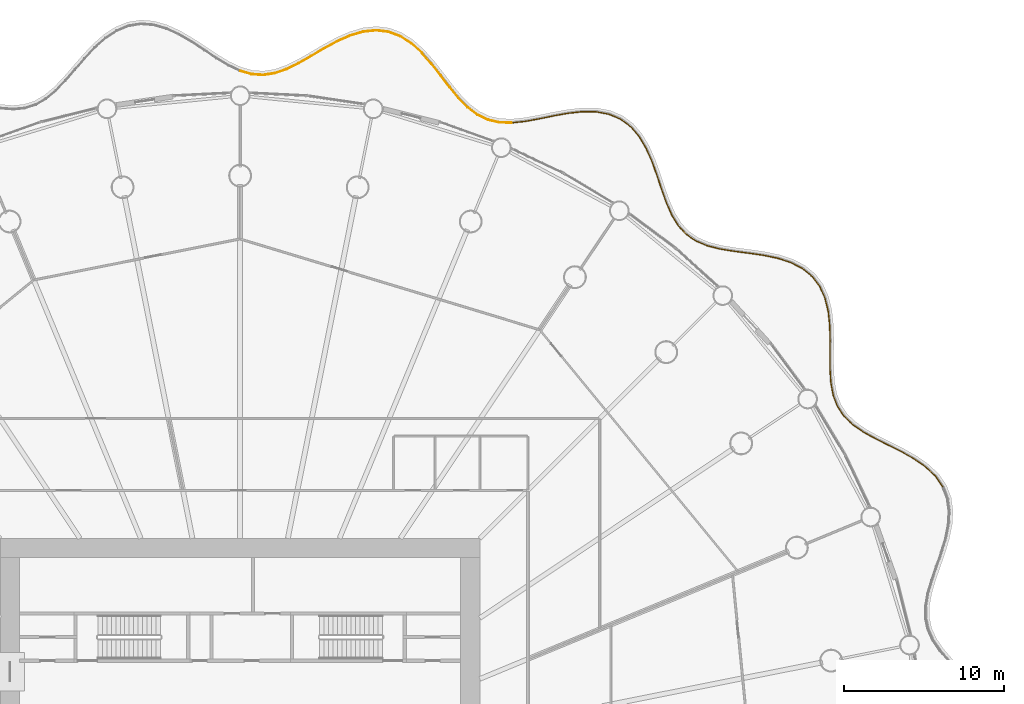
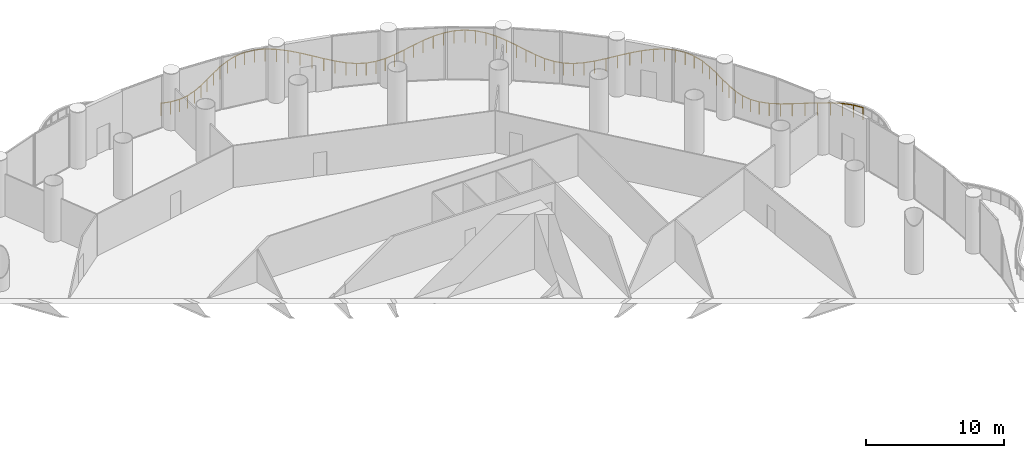
# One storey, part 38 of 38: 3 railings.
"""IFC4 building model written with IfcOpenShell, lengths in metres."""

import ifcopenshell
import ifcopenshell.guid

model = None  # the IFC model being written
_history = None  # IfcOwnerHistory: only IFC2X3 demands one
_inside = {}  # id of a spatial element -> (the spatial element, [elements in it])
_under = {}  # id of a project, library or spatial element -> (it, [spatial elements below it])
_declared = {}  # id of a project -> (the project, [libraries it declares])
_typed = {}  # id of a type object -> (the type object, [elements of that type])
_made_of = {}  # id of a material, layer set ... -> (it, [elements and type objects made of it])


def new_model(schema):
    """Start an empty IFC model of exactly this schema.

    Asked for "IFC4X3", IfcOpenShell would pick the latest addendum, in which some entities
    have other attributes; the version numbers below select the first issue.
    IFC2X3 requires an IfcOwnerHistory on every rooted entity: one is made here for all.
    """
    global model, _history
    if schema == "IFC4X3":
        model = ifcopenshell.file(schema_version=(4, 3, 0, 0))
    else:
        model = ifcopenshell.file(schema=schema)
    _inside.clear()
    _under.clear()
    _declared.clear()
    _typed.clear()
    _made_of.clear()
    _history = None
    if model.schema == "IFC2X3":
        org = make("IfcOrganization", Name="unknown")
        user = make(
            "IfcPersonAndOrganization",
            ThePerson=make("IfcPerson", FamilyName="unknown"),
            TheOrganization=org,
        )
        app = make(
            "IfcApplication",
            ApplicationDeveloper=org,
            Version="unknown",
            ApplicationFullName="unknown",
            ApplicationIdentifier="unknown",
        )
        _history = make(
            "IfcOwnerHistory",
            OwningUser=user,
            OwningApplication=app,
            ChangeAction="ADDED",
            CreationDate=0,
        )
    return model


def make(cls, **values):
    """One entity of the class cls with the attributes given. An attribute that is None is left unset."""
    return model.create_entity(
        cls, **{name: value for name, value in values.items() if value is not None}
    )


def rooted(cls, **values):
    """An entity with a GlobalId (a new one), such as an element, a storey or a relation."""
    return make(cls, GlobalId=ifcopenshell.guid.new(), OwnerHistory=_history, **values)


def si_unit(unit_type, name, prefix=None):
    """IfcSIUnit, for example si_unit("LENGTHUNIT", "METRE", prefix="MILLI")."""
    return make("IfcSIUnit", UnitType=unit_type, Prefix=prefix, Name=name)


def assignment(units):
    """IfcUnitAssignment: the units of a project."""
    return None if units is None else make("IfcUnitAssignment", Units=units)


def point(xyz):
    """IfcCartesianPoint."""
    return None if xyz is None else make("IfcCartesianPoint", Coordinates=xyz)


def direction(xyz):
    """IfcDirection."""
    return None if xyz is None else make("IfcDirection", DirectionRatios=xyz)


def frame(location, z_axis=None, x_axis=None):
    """IfcAxis2Placement3D, a coordinate frame: its origin and axes. An axis left out is left unset."""
    return make(
        "IfcAxis2Placement3D",
        Location=point(location),
        Axis=direction(z_axis),
        RefDirection=direction(x_axis),
    )


def frame_2d(location, x_axis=None):
    """IfcAxis2Placement2D, a coordinate frame in the plane: its origin and x axis."""
    return make(
        "IfcAxis2Placement2D", Location=point(location), RefDirection=direction(x_axis)
    )


def origin():
    """The frame at (0, 0, 0) with its axes left unset."""
    return frame((0.0, 0.0, 0.0))


def origin_2d():
    """The frame at (0, 0) in the plane with its x axis left unset."""
    return frame_2d((0.0, 0.0))


def place(relative_to, where):
    """IfcLocalPlacement: puts the frame where relative to a parent placement (None: the world)."""
    return make(
        "IfcLocalPlacement", PlacementRelTo=relative_to, RelativePlacement=where
    )


def context(
    kind, dimensions, precision=None, world=None, true_north=None, identifier=None
):
    """IfcGeometricRepresentationContext, for example the 3D "Model" context."""
    return make(
        "IfcGeometricRepresentationContext",
        ContextIdentifier=identifier,
        ContextType=kind,
        CoordinateSpaceDimension=dimensions,
        Precision=precision,
        WorldCoordinateSystem=world,
        TrueNorth=true_north,
    )


def subcontext(parent, identifier, kind, view, scale=None):
    """IfcGeometricRepresentationSubContext, for example "Body" below "Model"."""
    return make(
        "IfcGeometricRepresentationSubContext",
        ContextIdentifier=identifier,
        ContextType=kind,
        ParentContext=parent,
        TargetScale=scale,
        TargetView=view,
    )


def project(units=None, contexts=None):
    """IfcProject with its units and contexts."""
    return rooted(
        "IfcProject",
        Name="project",
        RepresentationContexts=contexts,
        UnitsInContext=assignment(units),
    )


def spatial(cls, under=None, at=None, **own):
    """A site, building, storey or space (cls), placed at a placement, below another one or the project."""
    s = rooted(cls, ObjectPlacement=at, **own)
    if under is not None:
        _under.setdefault(under.id(), (under, []))[1].append(s)
    return s


def profile(cls, at=None, kind="AREA", **sizes):
    """A parametric profile (cls). Its sizes go by their IFC names, for example OverallWidth=200.0."""
    return make(cls, ProfileType=kind, Position=at, **sizes)


def circle(**sizes):
    """IfcCircleProfileDef."""
    return profile("IfcCircleProfileDef", **sizes)


def extrude(swept, where, along, depth):
    """IfcExtrudedAreaSolid: the profile swept, set in the frame where, extruded along a direction by depth."""
    return make(
        "IfcExtrudedAreaSolid",
        SweptArea=swept,
        Position=where,
        ExtrudedDirection=direction(along),
        Depth=depth,
    )


def shape(context_of_items, identifier, shape_type, items):
    """IfcShapeRepresentation: the items that make up one representation, for example the "Body"."""
    return make(
        "IfcShapeRepresentation",
        ContextOfItems=context_of_items,
        RepresentationIdentifier=identifier,
        RepresentationType=shape_type,
        Items=items,
    )


def material(Name=None, Category=None):
    """IfcMaterial."""
    return make("IfcMaterial", Name=Name, Category=Category)


def made_of(thing, what):
    """Note that an element or type object is made of a material, layer set ...; save() writes the relation."""
    if what is not None:
        _made_of.setdefault(what.id(), (what, []))[1].append(thing)
    return thing


def type_object(cls, material=None, **own):
    """A type object (cls), such as IfcWallType, which elements share."""
    return made_of(rooted(cls, **own), material)


def element(
    cls,
    number,
    at=None,
    inside=None,
    cuts=None,
    type_object=None,
    material=None,
    context=None,
    identifier="Body",
    shape_type=None,
    held_by="IfcProductDefinitionShape",
    body=None,
    shapes=None,
    **own,
):
    """One element of the class cls, such as IfcWall. Its Tag is "e" and its number.

    at: its placement. inside: the storey or other place that contains it. cuts: it is an
    opening in that element (IfcRelVoidsElement). A single representation is given by context,
    identifier, shape_type and body (its items); several are given by shapes. held_by: the class
    of the entity that holds the representations. save() writes the other relations.
    """
    e = rooted(cls, Tag="e%d" % number, ObjectPlacement=at, **own)
    if body is not None:
        shapes = [shape(context, identifier, shape_type, body)]
    if shapes is not None:
        e.Representation = make(held_by, Representations=shapes)
    if inside is not None:
        _inside.setdefault(inside.id(), (inside, []))[1].append(e)
    if cuts is not None:
        rooted(
            "IfcRelVoidsElement", RelatingBuildingElement=cuts, RelatedOpeningElement=e
        )
    if type_object is not None:
        _typed.setdefault(type_object.id(), (type_object, []))[1].append(e)
    return made_of(e, material)


def aggregate(whole, parts):
    """IfcRelAggregates: a whole, such as a stair, and the parts it consists of."""
    return rooted("IfcRelAggregates", RelatingObject=whole, RelatedObjects=parts)


def save(model, path):
    """Write the relations noted so far, then the file.

    IfcRelAggregates (storeys below a building ...), IfcRelContainedInSpatialStructure (elements
    in a storey), IfcRelDefinesByType, IfcRelAssociatesMaterial and IfcRelDeclares: one each for
    every whole, place, type object, material and project.
    """
    for whole, parts in _under.values():
        aggregate(whole, parts)
    for where, things in _inside.values():
        rooted(
            "IfcRelContainedInSpatialStructure",
            RelatedElements=things,
            RelatingStructure=where,
        )
    for kind, things in _typed.values():
        rooted("IfcRelDefinesByType", RelatedObjects=things, RelatingType=kind)
    for what, things in _made_of.values():
        rooted("IfcRelAssociatesMaterial", RelatedObjects=things, RelatingMaterial=what)
    for by, libraries in _declared.values():
        rooted("IfcRelDeclares", RelatingContext=by, RelatedDefinitions=libraries)
    model.write(path)


model = new_model("IFC4")

# Units and contexts
model_context = context("Model", 3, precision=1e-05, world=origin(), true_north=direction((0.0, 1.0)))
body_context = subcontext(model_context, "Body", "Model", "MODEL_VIEW")
ifc_project = project(units=[si_unit("LENGTHUNIT", "METRE"), si_unit("AREAUNIT", "SQUARE_METRE"), si_unit("VOLUMEUNIT", "CUBIC_METRE"), si_unit("PLANEANGLEUNIT", "RADIAN"), si_unit("MASSUNIT", "GRAM", prefix="KILO")], contexts=[model_context])

# Site, building, storey
site_placement = place(None, origin())
site = spatial("IfcSite", under=ifc_project, at=site_placement, CompositionType="ELEMENT")
building_placement = place(site_placement, origin())
building = spatial("IfcBuilding", under=site, at=building_placement, Name="Corvane Civic Tower", CompositionType="ELEMENT")
storey_placement = place(building_placement, frame((0.0, 0.0, 32.0)))
storey = spatial("IfcBuildingStorey", under=building, at=storey_placement, Name="L06", CompositionType="ELEMENT", Elevation=32.0)

# Railings
ifc_material = material(Name="Steel ASTM A572 Gr 50", Category="steel")
railing_type = type_object("IfcRailingType", Name="PODIUM-RL-GUARD-1100", PredefinedType="GUARDRAIL", material=ifc_material)
railing_1_placement = place(storey_placement, frame((43.95751953125, 18.234130859375, 0.0)))
element("IfcRailing", 1, at=railing_1_placement, inside=storey, type_object=railing_type, Name="L06 ribbon guard 14", PredefinedType="GUARDRAIL", context=body_context, shape_type="SweptSolid", body=[
    extrude(circle(Radius=0.02392578125, at=origin_2d()), frame((0.0, 0.0, 1.076171875), z_axis=(-0.564923088251, 0.825143565909, 0.0), x_axis=(-0.825143565909, -0.564923088251, 0.0)), (0.0, 0.0, 1.0), 0.768310546875),
    extrude(circle(Radius=0.02392578125, at=origin_2d()), frame((-0.43408203125, 0.634033203125, 1.076171875), z_axis=(-0.718998120827, 0.695012015901, 0.0), x_axis=(-0.695012015901, -0.718998120827, 0.0)), (0.0, 0.0, 1.0), 0.834716796875),
    extrude(circle(Radius=0.02392578125, at=origin_2d()), frame((-1.0341796875, 1.214111328125, 1.076171875), z_axis=(-0.815427285454, 0.578859518482, 0.0), x_axis=(-0.578859518482, -0.815427285454, 0.0)), (0.0, 0.0, 1.0), 0.884521484375),
    extrude(circle(Radius=0.02392578125, at=origin_2d()), frame((-1.75537109375, 1.72607421875, 1.076171875), z_axis=(-0.869040218452, 0.494741446326, 0.0), x_axis=(-0.494741446326, -0.869040218452, 0.0)), (0.0, 0.0, 1.0), 0.92236328125),
    extrude(circle(Radius=0.02392578125, at=origin_2d()), frame((-2.556884765625, 2.182373046875, 1.076171875), z_axis=(-0.893274995005, 0.449510604212, 0.0), x_axis=(-0.449510604212, -0.893274995005, 0.0)), (0.0, 0.0, 1.0), 0.934814453125),
    extrude(circle(Radius=0.02392578125, at=origin_2d()), frame((-3.391845703125, 2.6025390625, 1.076171875), z_axis=(-0.895437895525, 0.445186449993, 0.0), x_axis=(-0.445186449993, -0.895437895525, 0.0)), (0.0, 0.0, 1.0), 0.915771484375),
    extrude(circle(Radius=0.02392578125, at=origin_2d()), frame((-4.2119140625, 3.01025390625, 1.076171875), z_axis=(-0.874752887878, 0.484569277967, 0.0), x_axis=(-0.484569277967, -0.874752887878, 0.0)), (0.0, 0.0, 1.0), 0.869140625),
    extrude(circle(Radius=0.02392578125, at=origin_2d()), frame((-4.97216796875, 3.431396484375, 1.076171875), z_axis=(-0.821570758338, 0.570106559377, 0.0), x_axis=(-0.570106559377, -0.821570758338, 0.0)), (0.0, 0.0, 1.0), 0.806884765625),
    extrude(circle(Radius=0.02392578125, at=origin_2d()), frame((-5.635009765625, 3.891357421875, 1.076171875), z_axis=(-0.71905346714, 0.694954754926, 0.0), x_axis=(-0.694954754926, -0.71905346714, 0.0)), (0.0, 0.0, 1.0), 0.749755859375),
    extrude(circle(Radius=0.02392578125, at=origin_2d()), frame((-6.174072265625, 4.412353515625, 1.076171875), z_axis=(-0.558210589536, 0.82969930561, 0.0), x_axis=(-0.82969930561, -0.558210589536, 0.0)), (0.0, 0.0, 1.0), 0.72119140625),
    extrude(circle(Radius=0.02392578125, at=origin_2d()), frame((-6.57666015625, 5.0107421875, 1.076171875), z_axis=(-0.36444945393, 0.93122317171, 0.0), x_axis=(-0.93122317171, -0.36444945393, 0.0)), (0.0, 0.0, 1.0), 0.73486328125),
    extrude(circle(Radius=0.02392578125, at=origin_2d()), frame((-6.844482421875, 5.695068359375, 1.076171875), z_axis=(-0.18970227519, 0.981841660752, 0.0), x_axis=(-0.981841660752, -0.18970227519, 0.0)), (0.0, 0.0, 1.0), 0.78369140625),
    extrude(circle(Radius=0.02392578125, at=origin_2d()), frame((-6.9931640625, 6.464599609375, 1.076171875), z_axis=(-0.067437118765, 0.99772352634, 0.0), x_axis=(-0.99772352634, -0.067437118765, 0.0)), (0.0, 0.0, 1.0), 0.84716796875),
    extrude(circle(Radius=0.02392578125, at=origin_2d()), frame((-7.05029296875, 7.309814453125, 1.076171875), z_axis=(-0.003250253688, 0.999994717912, 0.0), x_axis=(-0.999994717912, -0.003250253688, 0.0)), (0.0, 0.0, 1.0), 0.9013671875),
    extrude(circle(Radius=0.02392578125, at=origin_2d()), frame((-7.05322265625, 8.211181640625, 1.076171875), z_axis=(0.009436015013, 0.999955479819, 0.0), x_axis=(-0.999955479819, 0.009436015013, 0.0)), (0.0, 0.0, 1.0), 0.931396484375),
    extrude(circle(Radius=0.02392578125, at=origin_2d()), frame((-7.04443359375, 9.142578125, 1.076171875), z_axis=(-0.024933175743, 0.999689120051, 0.0), x_axis=(-0.999689120051, -0.024933175743, 0.0)), (0.0, 0.0, 1.0), 0.93017578125),
    extrude(circle(Radius=0.02392578125, at=origin_2d()), frame((-7.067626953125, 10.072509765625, 1.076171875), z_axis=(-0.105997077035, 0.994366441338, 0.0), x_axis=(-0.994366441338, -0.105997077035, 0.0)), (0.0, 0.0, 1.0), 0.900634765625),
    extrude(circle(Radius=0.02392578125, at=origin_2d()), frame((-7.1630859375, 10.968017578125, 1.076171875), z_axis=(-0.235796585795, 0.971802433691, 0.0), x_axis=(-0.971802433691, -0.235796585795, 0.0)), (0.0, 0.0, 1.0), 0.853271484375),
    extrude(circle(Radius=0.02392578125, at=origin_2d()), frame((-7.3642578125, 11.797119140625, 1.076171875), z_axis=(-0.41001209647, 0.912080084613, 0.0), x_axis=(-0.912080084613, -0.41001209647, 0.0)), (0.0, 0.0, 1.0), 0.80615234375),
    extrude(circle(Radius=0.02392578125, at=origin_2d()), frame((-7.69482421875, 12.532470703125, 1.076171875), z_axis=(-0.603049995362, 0.797703392931, 0.0), x_axis=(-0.797703392931, -0.603049995362, 0.0)), (0.0, 0.0, 1.0), 0.780029296875),
    extrude(circle(Radius=0.02392578125, at=origin_2d()), frame((-8.165283203125, 13.15478515625, 1.076171875), z_axis=(-0.773127936515, 0.634250103492, 0.0), x_axis=(-0.634250103492, -0.773127936515, 0.0)), (0.0, 0.0, 1.0), 0.78759765625),
    extrude(circle(Radius=0.02392578125, at=origin_2d()), frame((-8.774169921875, 13.654296875, 1.076171875), z_axis=(-0.888608978044, 0.458665547148, 0.0), x_axis=(-0.458665547148, -0.888608978044, 0.0)), (0.0, 0.0, 1.0), 0.824462890625),
    extrude(circle(Radius=0.02392578125, at=origin_2d()), frame((-9.5068359375, 14.032470703125, 1.076171875), z_axis=(-0.951112018986, 0.308846122431, 0.0), x_axis=(-0.308846122431, -0.951112018986, 0.0)), (0.0, 0.0, 1.0), 0.874267578125),
    extrude(circle(Radius=0.02392578125, at=origin_2d()), frame((-10.33837890625, 14.302490234375, 1.076171875), z_axis=(-0.979350284104, 0.202170771935, 0.0), x_axis=(-0.202170771935, -0.979350284104, 0.0)), (0.0, 0.0, 1.0), 0.89111328125),
    extrude(circle(Radius=0.02099609375, at=origin_2d()), origin(), (0.0, 0.0, 1.0), 1.052001953125),
    extrude(circle(Radius=0.02099609375, at=origin_2d()), frame((-0.43408203125, 0.634033203125, 0.0)), (0.0, 0.0, 1.0), 1.052001953125),
    extrude(circle(Radius=0.02099609375, at=origin_2d()), frame((-1.0341796875, 1.214111328125, 0.0)), (0.0, 0.0, 1.0), 1.052001953125),
    extrude(circle(Radius=0.02099609375, at=origin_2d()), frame((-1.75537109375, 1.72607421875, 0.0)), (0.0, 0.0, 1.0), 1.052001953125),
    extrude(circle(Radius=0.02099609375, at=origin_2d()), frame((-2.556884765625, 2.182373046875, 0.0)), (0.0, 0.0, 1.0), 1.052001953125),
    extrude(circle(Radius=0.02099609375, at=origin_2d()), frame((-3.391845703125, 2.6025390625, 0.0)), (0.0, 0.0, 1.0), 1.052001953125),
    extrude(circle(Radius=0.02099609375, at=origin_2d()), frame((-4.2119140625, 3.01025390625, 0.0)), (0.0, 0.0, 1.0), 1.052001953125),
    extrude(circle(Radius=0.02099609375, at=origin_2d()), frame((-4.97216796875, 3.431396484375, 0.0)), (0.0, 0.0, 1.0), 1.052001953125),
    extrude(circle(Radius=0.02099609375, at=origin_2d()), frame((-5.635009765625, 3.891357421875, 0.0)), (0.0, 0.0, 1.0), 1.052001953125),
    extrude(circle(Radius=0.02099609375, at=origin_2d()), frame((-6.174072265625, 4.412353515625, 0.0)), (0.0, 0.0, 1.0), 1.052001953125),
    extrude(circle(Radius=0.02099609375, at=origin_2d()), frame((-6.57666015625, 5.0107421875, 0.0)), (0.0, 0.0, 1.0), 1.052001953125),
    extrude(circle(Radius=0.02099609375, at=origin_2d()), frame((-6.844482421875, 5.695068359375, 0.0)), (0.0, 0.0, 1.0), 1.052001953125),
    extrude(circle(Radius=0.02099609375, at=origin_2d()), frame((-6.9931640625, 6.464599609375, 0.0)), (0.0, 0.0, 1.0), 1.052001953125),
    extrude(circle(Radius=0.02099609375, at=origin_2d()), frame((-7.05029296875, 7.309814453125, 0.0)), (0.0, 0.0, 1.0), 1.052001953125),
    extrude(circle(Radius=0.02099609375, at=origin_2d()), frame((-7.05322265625, 8.211181640625, 0.0)), (0.0, 0.0, 1.0), 1.052001953125),
    extrude(circle(Radius=0.02099609375, at=origin_2d()), frame((-7.04443359375, 9.142578125, 0.0)), (0.0, 0.0, 1.0), 1.052001953125),
    extrude(circle(Radius=0.02099609375, at=origin_2d()), frame((-7.067626953125, 10.072509765625, 0.0)), (0.0, 0.0, 1.0), 1.052001953125),
    extrude(circle(Radius=0.02099609375, at=origin_2d()), frame((-7.1630859375, 10.968017578125, 0.0)), (0.0, 0.0, 1.0), 1.052001953125),
    extrude(circle(Radius=0.02099609375, at=origin_2d()), frame((-7.3642578125, 11.797119140625, 0.0)), (0.0, 0.0, 1.0), 1.052001953125),
    extrude(circle(Radius=0.02099609375, at=origin_2d()), frame((-7.69482421875, 12.532470703125, 0.0)), (0.0, 0.0, 1.0), 1.052001953125),
    extrude(circle(Radius=0.02099609375, at=origin_2d()), frame((-8.165283203125, 13.15478515625, 0.0)), (0.0, 0.0, 1.0), 1.052001953125),
    extrude(circle(Radius=0.02099609375, at=origin_2d()), frame((-8.774169921875, 13.654296875, 0.0)), (0.0, 0.0, 1.0), 1.052001953125),
    extrude(circle(Radius=0.02099609375, at=origin_2d()), frame((-9.5068359375, 14.032470703125, 0.0)), (0.0, 0.0, 1.0), 1.052001953125),
    extrude(circle(Radius=0.02099609375, at=origin_2d()), frame((-10.33837890625, 14.302490234375, 0.0)), (0.0, 0.0, 1.0), 1.052001953125),
    extrude(circle(Radius=0.02099609375, at=origin_2d()), frame((-11.211181640625, 14.482666015625, 0.0)), (0.0, 0.0, 1.0), 1.052001953125),
])
railing_2_placement = place(storey_placement, frame((32.697265625, 32.7255859375, 0.0)))
element("IfcRailing", 2, at=railing_2_placement, inside=storey, type_object=railing_type, Name="L06 ribbon guard 15", PredefinedType="GUARDRAIL", context=body_context, shape_type="SweptSolid", body=[
    extrude(circle(Radius=0.02392578125, at=origin_2d()), frame((0.0, 0.0, 1.076171875), z_axis=(-0.989868812418, 0.141984978788, 0.0), x_axis=(-0.141984978788, -0.989868812418, 0.0)), (0.0, 0.0, 1.0), 0.90966796875),
    extrude(circle(Radius=0.02392578125, at=origin_2d()), frame((-0.900390625, 0.129150390625, 1.076171875), z_axis=(-0.991831949658, 0.12755149406, 0.0), x_axis=(-0.12755149406, -0.991831949658, 0.0)), (0.0, 0.0, 1.0), 0.922607421875),
    extrude(circle(Radius=0.02392578125, at=origin_2d()), frame((-1.8154296875, 0.246826171875, 1.076171875), z_axis=(-0.987030777898, 0.160531129327, 0.0), x_axis=(-0.160531129327, -0.987030777898, 0.0)), (0.0, 0.0, 1.0), 0.880615234375),
    extrude(circle(Radius=0.02392578125, at=origin_2d()), frame((-2.6845703125, 0.38818359375, 1.076171875), z_axis=(-0.968940471293, 0.2472940822, 0.0), x_axis=(-0.2472940822, -0.968940471293, 0.0)), (0.0, 0.0, 1.0), 0.8203125),
    extrude(circle(Radius=0.02392578125, at=origin_2d()), frame((-3.4794921875, 0.591064453125, 1.076171875), z_axis=(-0.921635375138, 0.388057000058, 0.0), x_axis=(-0.388057000058, -0.921635375138, 0.0)), (0.0, 0.0, 1.0), 0.760009765625),
    extrude(circle(Radius=0.02392578125, at=origin_2d()), frame((-4.179931640625, 0.885986328125, 1.076171875), z_axis=(-0.824769290196, 0.565469378437, 0.0), x_axis=(-0.565469378437, -0.824769290196, 0.0)), (0.0, 0.0, 1.0), 0.72412109375),
    extrude(circle(Radius=0.02392578125, at=origin_2d()), frame((-4.777099609375, 1.29541015625, 1.076171875), z_axis=(-0.680129605089, 0.733091890749, 0.0), x_axis=(-0.733091890749, -0.680129605089, 0.0)), (0.0, 0.0, 1.0), 0.728271484375),
    extrude(circle(Radius=0.02392578125, at=origin_2d()), frame((-5.2724609375, 1.829345703125, 1.076171875), z_axis=(-0.527095063724, 0.849806327229, 0.0), x_axis=(-0.849806327229, -0.527095063724, 0.0)), (0.0, 0.0, 1.0), 0.771728515625),
    extrude(circle(Radius=0.02392578125, at=origin_2d()), frame((-5.67919921875, 2.485107421875, 1.076171875), z_axis=(-0.407062095939, 0.913400487218, 0.0), x_axis=(-0.913400487218, -0.407062095939, 0.0)), (0.0, 0.0, 1.0), 0.833740234375),
    extrude(circle(Radius=0.02392578125, at=origin_2d()), frame((-6.0185546875, 3.24658203125, 1.076171875), z_axis=(-0.336284353127, 0.94176049707, 0.0), x_axis=(-0.94176049707, -0.336284353127, 0.0)), (0.0, 0.0, 1.0), 0.8916015625),
    extrude(circle(Radius=0.02392578125, at=origin_2d()), frame((-6.318359375, 4.086181640625, 1.076171875), z_axis=(-0.314490302108, 0.949260685945, 0.0), x_axis=(-0.949260685945, -0.314490302108, 0.0)), (0.0, 0.0, 1.0), 0.927734375),
    extrude(circle(Radius=0.02392578125, at=origin_2d()), frame((-6.610107421875, 4.966796875, 1.076171875), z_axis=(-0.337496288976, 0.941326858709, 0.0), x_axis=(-0.941326858709, -0.337496288976, 0.0)), (0.0, 0.0, 1.0), 0.93310546875),
    extrude(circle(Radius=0.02392578125, at=origin_2d()), frame((-6.925048828125, 5.84521484375, 1.076171875), z_axis=(-0.404043622694, 0.914739717603, 0.0), x_axis=(-0.914739717603, -0.404043622694, 0.0)), (0.0, 0.0, 1.0), 0.90869140625),
    extrude(circle(Radius=0.02392578125, at=origin_2d()), frame((-7.292236328125, 6.676513671875, 1.076171875), z_axis=(-0.511250319836, 0.859431853301, 0.0), x_axis=(-0.859431853301, -0.511250319836, 0.0)), (0.0, 0.0, 1.0), 0.86376953125),
    extrude(circle(Radius=0.02392578125, at=origin_2d()), frame((-7.73388671875, 7.4189453125, 1.076171875), z_axis=(-0.651925594689, 0.758282941249, 0.0), x_axis=(-0.758282941249, -0.651925594689, 0.0)), (0.0, 0.0, 1.0), 0.81494140625),
    extrude(circle(Radius=0.02392578125, at=origin_2d()), frame((-8.26513671875, 8.036865234375, 1.076171875), z_axis=(-0.800859579337, 0.598852180579, 0.0), x_axis=(-0.598852180579, -0.800859579337, 0.0)), (0.0, 0.0, 1.0), 0.783203125),
    extrude(circle(Radius=0.02392578125, at=origin_2d()), frame((-8.892333984375, 8.505859375, 1.076171875), z_axis=(-0.919080514782, 0.394069800096, 0.0), x_axis=(-0.394069800096, -0.919080514782, 0.0)), (0.0, 0.0, 1.0), 0.783203125),
    extrude(circle(Radius=0.02392578125, at=origin_2d()), frame((-9.612060546875, 8.814453125, 1.076171875), z_axis=(-0.982654443902, 0.185446067309, 0.0), x_axis=(-0.185446067309, -0.982654443902, 0.0)), (0.0, 0.0, 1.0), 0.81494140625),
    extrude(circle(Radius=0.02392578125, at=origin_2d()), frame((-10.412841796875, 8.965576171875, 1.076171875), z_axis=(-0.999911774813, 0.013283169422, 0.0), x_axis=(-0.013283169422, -0.999911774813, 0.0)), (0.0, 0.0, 1.0), 0.86376953125),
    extrude(circle(Radius=0.02392578125, at=origin_2d()), frame((-11.276611328125, 8.97705078125, 1.076171875), z_axis=(-0.994181417549, -0.107718656697, 0.0), x_axis=(0.107718656697, -0.994181417549, 0.0)), (0.0, 0.0, 1.0), 0.908935546875),
    extrude(circle(Radius=0.02392578125, at=origin_2d()), frame((-12.18017578125, 8.879150390625, 1.076171875), z_axis=(-0.983999420882, -0.178171657969, 0.0), x_axis=(0.178171657969, -0.983999420882, 0.0)), (0.0, 0.0, 1.0), 0.93310546875),
    extrude(circle(Radius=0.02392578125, at=origin_2d()), frame((-13.098388671875, 8.712890625, 1.076171875), z_axis=(-0.979305409601, -0.202388030095, 0.0), x_axis=(0.202388030095, -0.979305409601, 0.0)), (0.0, 0.0, 1.0), 0.927734375),
    extrude(circle(Radius=0.02392578125, at=origin_2d()), frame((-14.0068359375, 8.525146484375, 1.076171875), z_axis=(-0.983729388064, -0.179656592029, 0.0), x_axis=(0.179656592029, -0.983729388064, 0.0)), (0.0, 0.0, 1.0), 0.891357421875),
    extrude(circle(Radius=0.02392578125, at=origin_2d()), frame((-14.8837890625, 8.364990234375, 1.076171875), z_axis=(-0.994563188022, -0.104134840627, 0.0), x_axis=(0.104134840627, -0.994563188022, 0.0)), (0.0, 0.0, 1.0), 0.808837890625),
    extrude(circle(Radius=0.02099609375, at=origin_2d()), origin(), (0.0, 0.0, 1.0), 1.052001953125),
    extrude(circle(Radius=0.02099609375, at=origin_2d()), frame((-0.900390625, 0.129150390625, 0.0)), (0.0, 0.0, 1.0), 1.052001953125),
    extrude(circle(Radius=0.02099609375, at=origin_2d()), frame((-1.8154296875, 0.246826171875, 0.0)), (0.0, 0.0, 1.0), 1.052001953125),
    extrude(circle(Radius=0.02099609375, at=origin_2d()), frame((-2.6845703125, 0.38818359375, 0.0)), (0.0, 0.0, 1.0), 1.052001953125),
    extrude(circle(Radius=0.02099609375, at=origin_2d()), frame((-3.4794921875, 0.591064453125, 0.0)), (0.0, 0.0, 1.0), 1.052001953125),
    extrude(circle(Radius=0.02099609375, at=origin_2d()), frame((-4.179931640625, 0.885986328125, 0.0)), (0.0, 0.0, 1.0), 1.052001953125),
    extrude(circle(Radius=0.02099609375, at=origin_2d()), frame((-4.777099609375, 1.29541015625, 0.0)), (0.0, 0.0, 1.0), 1.052001953125),
    extrude(circle(Radius=0.02099609375, at=origin_2d()), frame((-5.2724609375, 1.829345703125, 0.0)), (0.0, 0.0, 1.0), 1.052001953125),
    extrude(circle(Radius=0.02099609375, at=origin_2d()), frame((-5.67919921875, 2.485107421875, 0.0)), (0.0, 0.0, 1.0), 1.052001953125),
    extrude(circle(Radius=0.02099609375, at=origin_2d()), frame((-6.0185546875, 3.24658203125, 0.0)), (0.0, 0.0, 1.0), 1.052001953125),
    extrude(circle(Radius=0.02099609375, at=origin_2d()), frame((-6.318359375, 4.086181640625, 0.0)), (0.0, 0.0, 1.0), 1.052001953125),
    extrude(circle(Radius=0.02099609375, at=origin_2d()), frame((-6.610107421875, 4.966796875, 0.0)), (0.0, 0.0, 1.0), 1.052001953125),
    extrude(circle(Radius=0.02099609375, at=origin_2d()), frame((-6.925048828125, 5.84521484375, 0.0)), (0.0, 0.0, 1.0), 1.052001953125),
    extrude(circle(Radius=0.02099609375, at=origin_2d()), frame((-7.292236328125, 6.676513671875, 0.0)), (0.0, 0.0, 1.0), 1.052001953125),
    extrude(circle(Radius=0.02099609375, at=origin_2d()), frame((-7.73388671875, 7.4189453125, 0.0)), (0.0, 0.0, 1.0), 1.052001953125),
    extrude(circle(Radius=0.02099609375, at=origin_2d()), frame((-8.26513671875, 8.036865234375, 0.0)), (0.0, 0.0, 1.0), 1.052001953125),
    extrude(circle(Radius=0.02099609375, at=origin_2d()), frame((-8.892333984375, 8.505859375, 0.0)), (0.0, 0.0, 1.0), 1.052001953125),
    extrude(circle(Radius=0.02099609375, at=origin_2d()), frame((-9.612060546875, 8.814453125, 0.0)), (0.0, 0.0, 1.0), 1.052001953125),
    extrude(circle(Radius=0.02099609375, at=origin_2d()), frame((-10.412841796875, 8.965576171875, 0.0)), (0.0, 0.0, 1.0), 1.052001953125),
    extrude(circle(Radius=0.02099609375, at=origin_2d()), frame((-11.276611328125, 8.97705078125, 0.0)), (0.0, 0.0, 1.0), 1.052001953125),
    extrude(circle(Radius=0.02099609375, at=origin_2d()), frame((-12.18017578125, 8.879150390625, 0.0)), (0.0, 0.0, 1.0), 1.052001953125),
    extrude(circle(Radius=0.02099609375, at=origin_2d()), frame((-13.098388671875, 8.712890625, 0.0)), (0.0, 0.0, 1.0), 1.052001953125),
    extrude(circle(Radius=0.02099609375, at=origin_2d()), frame((-14.0068359375, 8.525146484375, 0.0)), (0.0, 0.0, 1.0), 1.052001953125),
    extrude(circle(Radius=0.02099609375, at=origin_2d()), frame((-14.8837890625, 8.364990234375, 0.0)), (0.0, 0.0, 1.0), 1.052001953125),
    extrude(circle(Radius=0.02099609375, at=origin_2d()), frame((-15.688232421875, 8.28076171875, 0.0)), (0.0, 0.0, 1.0), 1.052001953125),
])
railing_3_placement = place(storey_placement, frame((16.958984375, 41.00439453125, 0.0)))
element("IfcRailing", 3, at=railing_3_placement, inside=storey, type_object=railing_type, Name="L06 ribbon guard 16", PredefinedType="GUARDRAIL", context=body_context, shape_type="SweptSolid", body=[
    extrude(circle(Radius=0.02392578125, at=origin_2d()), frame((0.0, 0.0, 1.076171875), z_axis=(-0.999506634758, 0.031408391796, 0.0), x_axis=(-0.031408391796, -0.999506634758, 0.0)), (0.0, 0.0, 1.0), 0.746337890625),
    extrude(circle(Radius=0.02392578125, at=origin_2d()), frame((-0.745849609375, 0.0234375, 1.076171875), z_axis=(-0.974852266638, 0.222852099455, 0.0), x_axis=(-0.222852099455, -0.974852266638, 0.0)), (0.0, 0.0, 1.0), 0.728515625),
    extrude(circle(Radius=0.02392578125, at=origin_2d()), frame((-1.4560546875, 0.185791015625, 1.076171875), z_axis=(-0.902179876874, 0.431360023373, 0.0), x_axis=(-0.431360023373, -0.902179876874, 0.0)), (0.0, 0.0, 1.0), 0.723876953125),
    extrude(circle(Radius=0.02392578125, at=origin_2d()), frame((-2.109130859375, 0.498046875, 1.076171875), z_axis=(-0.796867223866, 0.604154473233, 0.0), x_axis=(-0.604154473233, -0.796867223866, 0.0)), (0.0, 0.0, 1.0), 0.760009765625),
    extrude(circle(Radius=0.02392578125, at=origin_2d()), frame((-2.71484375, 0.957275390625, 1.076171875), z_axis=(-0.698573011535, 0.715538781308, 0.0), x_axis=(-0.715538781308, -0.698573011535, 0.0)), (0.0, 0.0, 1.0), 0.8203125),
    extrude(circle(Radius=0.02392578125, at=origin_2d()), frame((-3.287841796875, 1.544189453125, 1.076171875), z_axis=(-0.632739607514, 0.774364635739, 0.0), x_axis=(-0.774364635739, -0.632739607514, 0.0)), (0.0, 0.0, 1.0), 0.880859375),
    extrude(circle(Radius=0.02392578125, at=origin_2d()), frame((-3.84521484375, 2.226318359375, 1.076171875), z_axis=(-0.606250579287, 0.795273685667, 0.0), x_axis=(-0.795273685667, -0.606250579287, 0.0)), (0.0, 0.0, 1.0), 0.922119140625),
    extrude(circle(Radius=0.02392578125, at=origin_2d()), frame((-4.404296875, 2.959716796875, 1.076171875), z_axis=(-0.617983033731, 0.786191433444, 0.0), x_axis=(-0.786191433444, -0.617983033731, 0.0)), (0.0, 0.0, 1.0), 0.934814453125),
    extrude(circle(Radius=0.02392578125, at=origin_2d()), frame((-4.98193359375, 3.694580078125, 1.076171875), z_axis=(-0.664876433577, 0.746953364055, 0.0), x_axis=(-0.746953364055, -0.664876433577, 0.0)), (0.0, 0.0, 1.0), 0.916259765625),
    extrude(circle(Radius=0.02392578125, at=origin_2d()), frame((-5.591064453125, 4.37890625, 1.076171875), z_axis=(-0.743141376178, 0.669134437175, 0.0), x_axis=(-0.669134437175, -0.743141376178, 0.0)), (0.0, 0.0, 1.0), 0.874267578125),
    extrude(circle(Radius=0.02392578125, at=origin_2d()), frame((-6.24072265625, 4.9638671875, 1.076171875), z_axis=(-0.841447725279, 0.540338528724, 0.0), x_axis=(-0.540338528724, -0.841447725279, 0.0)), (0.0, 0.0, 1.0), 0.82470703125),
    extrude(circle(Radius=0.02392578125, at=origin_2d()), frame((-6.9345703125, 5.409423828125, 1.076171875), z_axis=(-0.93579289965, 0.352550207721, 0.0), x_axis=(-0.352550207721, -0.93579289965, 0.0)), (0.0, 0.0, 1.0), 0.787353515625),
    extrude(circle(Radius=0.02392578125, at=origin_2d()), frame((-7.67138671875, 5.68701171875, 1.076171875), z_axis=(-0.992330745237, 0.12361105152, 0.0), x_axis=(-0.12361105152, -0.992330745237, 0.0)), (0.0, 0.0, 1.0), 0.7802734375),
    extrude(circle(Radius=0.02392578125, at=origin_2d()), frame((-8.445556640625, 5.783447265625, 1.076171875), z_axis=(-0.994874001102, -0.101122311737, 0.0), x_axis=(0.101122311737, -0.994874001102, 0.0)), (0.0, 0.0, 1.0), 0.806396484375),
    extrude(circle(Radius=0.02392578125, at=origin_2d()), frame((-9.247802734375, 5.701904296875, 1.076171875), z_axis=(-0.959533934686, -0.281593018709, 0.0), x_axis=(0.281593018709, -0.959533934686, 0.0)), (0.0, 0.0, 1.0), 0.85302734375),
    extrude(circle(Radius=0.02392578125, at=origin_2d()), frame((-10.06640625, 5.461669921875, 1.076171875), z_axis=(-0.914180103654, -0.405308201353, 0.0), x_axis=(0.405308201353, -0.914180103654, 0.0)), (0.0, 0.0, 1.0), 0.900634765625),
    extrude(circle(Radius=0.02392578125, at=origin_2d()), frame((-10.8896484375, 5.0966796875, 1.076171875), z_axis=(-0.878186201729, -0.478318926128, 0.0), x_axis=(0.478318926128, -0.878186201729, 0.0)), (0.0, 0.0, 1.0), 0.930419921875),
    extrude(circle(Radius=0.02392578125, at=origin_2d()), frame((-11.706787109375, 4.651611328125, 1.076171875), z_axis=(-0.861171719591, -0.50831414438, 0.0), x_axis=(0.50831414438, -0.861171719591, 0.0)), (0.0, 0.0, 1.0), 0.931396484375),
    extrude(circle(Radius=0.02392578125, at=origin_2d()), frame((-12.5087890625, 4.17822265625, 1.076171875), z_axis=(-0.867642581652, -0.497188445666, 0.0), x_axis=(0.497188445666, -0.867642581652, 0.0)), (0.0, 0.0, 1.0), 0.901611328125),
    extrude(circle(Radius=0.02392578125, at=origin_2d()), frame((-13.291015625, 3.72998046875, 1.076171875), z_axis=(-0.897860384809, -0.440280285036, 0.0), x_axis=(0.440280285036, -0.897860384809, 0.0)), (0.0, 0.0, 1.0), 0.8466796875),
    extrude(circle(Radius=0.02392578125, at=origin_2d()), frame((-14.05126953125, 3.357177734375, 1.076171875), z_axis=(-0.945041590136, -0.326950138268, 0.0), x_axis=(0.326950138268, -0.945041590136, 0.0)), (0.0, 0.0, 1.0), 0.783935546875),
    extrude(circle(Radius=0.02392578125, at=origin_2d()), frame((-14.792236328125, 3.100830078125, 1.076171875), z_axis=(-0.988711030335, -0.149834904127, 0.0), x_axis=(0.149834904127, -0.988711030335, 0.0)), (0.0, 0.0, 1.0), 0.73486328125),
    extrude(circle(Radius=0.02392578125, at=origin_2d()), frame((-15.518798828125, 2.99072265625, 1.076171875), z_axis=(-0.997635933822, 0.068720765038, 0.0), x_axis=(-0.068720765038, -0.997635933822, 0.0)), (0.0, 0.0, 1.0), 0.72119140625),
    extrude(circle(Radius=0.02392578125, at=origin_2d()), frame((-16.23828125, 3.040283203125, 1.076171875), z_axis=(-0.961294828304, 0.275521783305, 0.0), x_axis=(-0.275521783305, -0.961294828304, 0.0)), (0.0, 0.0, 1.0), 0.724853515625),
    extrude(circle(Radius=0.02099609375, at=origin_2d()), origin(), (0.0, 0.0, 1.0), 1.052001953125),
    extrude(circle(Radius=0.02099609375, at=origin_2d()), frame((-0.745849609375, 0.0234375, 0.0)), (0.0, 0.0, 1.0), 1.052001953125),
    extrude(circle(Radius=0.02099609375, at=origin_2d()), frame((-1.4560546875, 0.185791015625, 0.0)), (0.0, 0.0, 1.0), 1.052001953125),
    extrude(circle(Radius=0.02099609375, at=origin_2d()), frame((-2.109130859375, 0.498046875, 0.0)), (0.0, 0.0, 1.0), 1.052001953125),
    extrude(circle(Radius=0.02099609375, at=origin_2d()), frame((-2.71484375, 0.957275390625, 0.0)), (0.0, 0.0, 1.0), 1.052001953125),
    extrude(circle(Radius=0.02099609375, at=origin_2d()), frame((-3.287841796875, 1.544189453125, 0.0)), (0.0, 0.0, 1.0), 1.052001953125),
    extrude(circle(Radius=0.02099609375, at=origin_2d()), frame((-3.84521484375, 2.226318359375, 0.0)), (0.0, 0.0, 1.0), 1.052001953125),
    extrude(circle(Radius=0.02099609375, at=origin_2d()), frame((-4.404296875, 2.959716796875, 0.0)), (0.0, 0.0, 1.0), 1.052001953125),
    extrude(circle(Radius=0.02099609375, at=origin_2d()), frame((-4.98193359375, 3.694580078125, 0.0)), (0.0, 0.0, 1.0), 1.052001953125),
    extrude(circle(Radius=0.02099609375, at=origin_2d()), frame((-5.591064453125, 4.37890625, 0.0)), (0.0, 0.0, 1.0), 1.052001953125),
    extrude(circle(Radius=0.02099609375, at=origin_2d()), frame((-6.24072265625, 4.9638671875, 0.0)), (0.0, 0.0, 1.0), 1.052001953125),
    extrude(circle(Radius=0.02099609375, at=origin_2d()), frame((-6.9345703125, 5.409423828125, 0.0)), (0.0, 0.0, 1.0), 1.052001953125),
    extrude(circle(Radius=0.02099609375, at=origin_2d()), frame((-7.67138671875, 5.68701171875, 0.0)), (0.0, 0.0, 1.0), 1.052001953125),
    extrude(circle(Radius=0.02099609375, at=origin_2d()), frame((-8.445556640625, 5.783447265625, 0.0)), (0.0, 0.0, 1.0), 1.052001953125),
    extrude(circle(Radius=0.02099609375, at=origin_2d()), frame((-9.247802734375, 5.701904296875, 0.0)), (0.0, 0.0, 1.0), 1.052001953125),
    extrude(circle(Radius=0.02099609375, at=origin_2d()), frame((-10.06640625, 5.461669921875, 0.0)), (0.0, 0.0, 1.0), 1.052001953125),
    extrude(circle(Radius=0.02099609375, at=origin_2d()), frame((-10.8896484375, 5.0966796875, 0.0)), (0.0, 0.0, 1.0), 1.052001953125),
    extrude(circle(Radius=0.02099609375, at=origin_2d()), frame((-11.706787109375, 4.651611328125, 0.0)), (0.0, 0.0, 1.0), 1.052001953125),
    extrude(circle(Radius=0.02099609375, at=origin_2d()), frame((-12.5087890625, 4.17822265625, 0.0)), (0.0, 0.0, 1.0), 1.052001953125),
    extrude(circle(Radius=0.02099609375, at=origin_2d()), frame((-13.291015625, 3.72998046875, 0.0)), (0.0, 0.0, 1.0), 1.052001953125),
    extrude(circle(Radius=0.02099609375, at=origin_2d()), frame((-14.05126953125, 3.357177734375, 0.0)), (0.0, 0.0, 1.0), 1.052001953125),
    extrude(circle(Radius=0.02099609375, at=origin_2d()), frame((-14.792236328125, 3.100830078125, 0.0)), (0.0, 0.0, 1.0), 1.052001953125),
    extrude(circle(Radius=0.02099609375, at=origin_2d()), frame((-15.518798828125, 2.99072265625, 0.0)), (0.0, 0.0, 1.0), 1.052001953125),
    extrude(circle(Radius=0.02099609375, at=origin_2d()), frame((-16.23828125, 3.040283203125, 0.0)), (0.0, 0.0, 1.0), 1.052001953125),
    extrude(circle(Radius=0.02099609375, at=origin_2d()), frame((-16.93505859375, 3.239990234375, 0.0)), (0.0, 0.0, 1.0), 1.052001953125),
])

save(model, "model.ifc")
